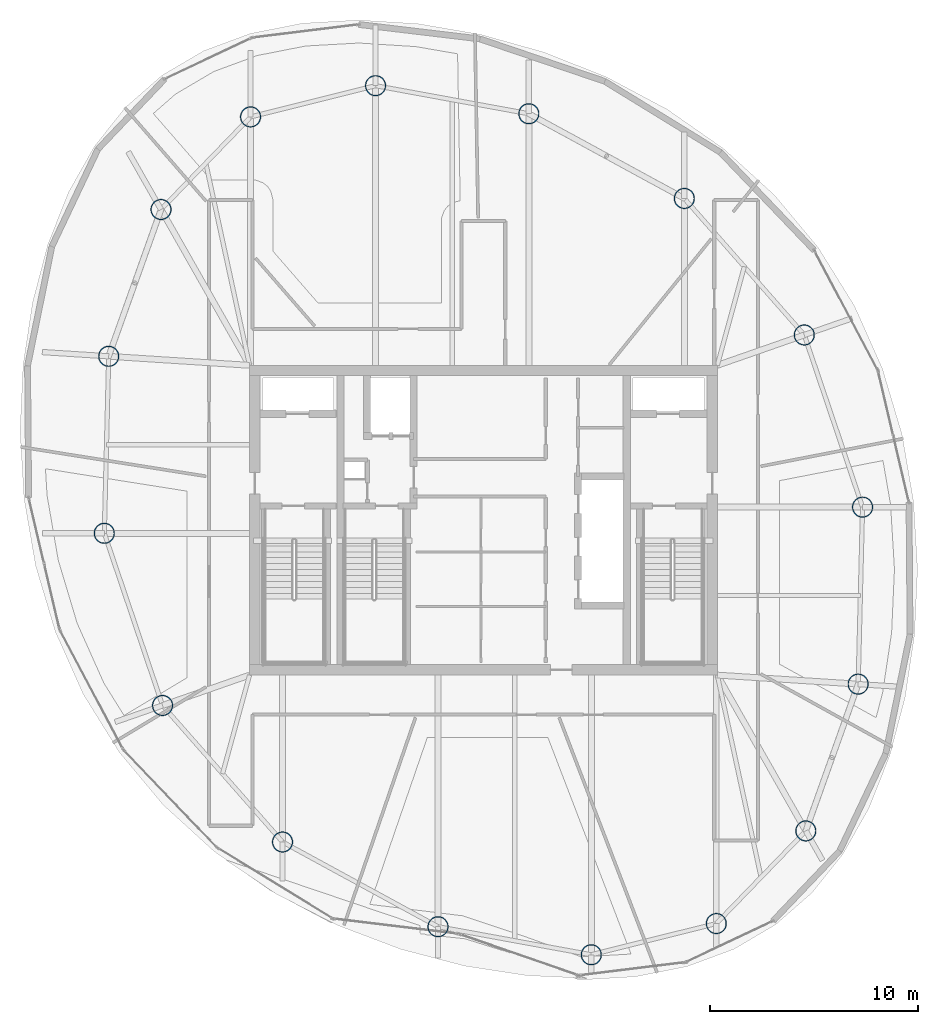
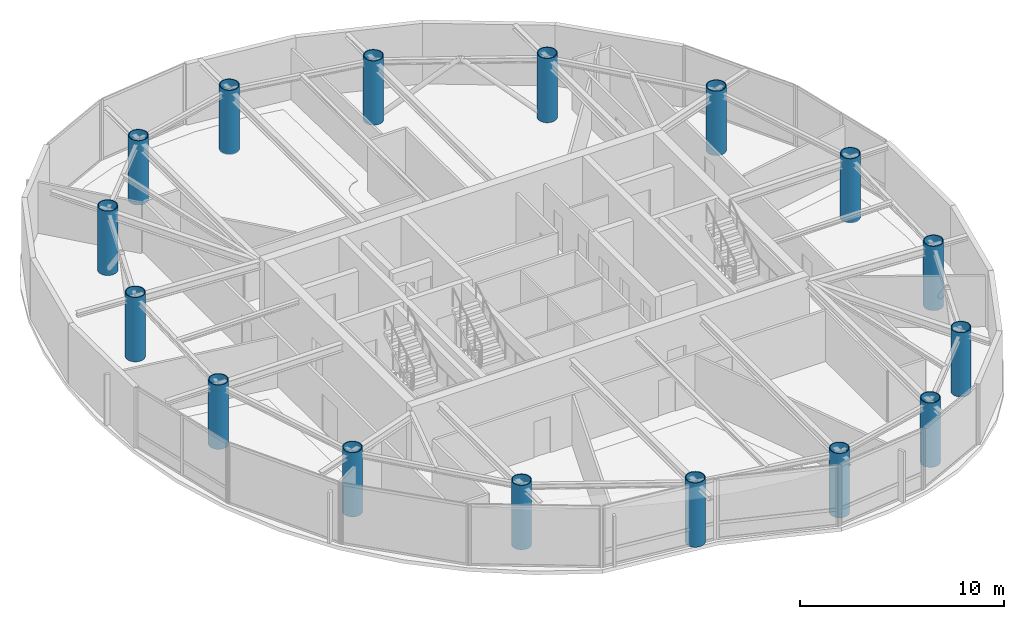
# One storey, part 1 of 21: 16 columns.
"""IFC4 building model written with IfcOpenShell, lengths in metres."""

from ifc_helpers import new_model, si_unit, direction, frame, origin, origin_2d, place, context, subcontext, project, spatial, hollow_circle, extrude, material, material_profile, profile_set, type_object, element, save


model = new_model("IFC4")

# Units and contexts
model_context = context("Model", 3, precision=1e-05, world=origin(), true_north=direction((0.0, 1.0)))
body_context = subcontext(model_context, "Body", "Model", "MODEL_VIEW")
ifc_project = project(units=[si_unit("LENGTHUNIT", "METRE"), si_unit("AREAUNIT", "SQUARE_METRE"), si_unit("VOLUMEUNIT", "CUBIC_METRE"), si_unit("PLANEANGLEUNIT", "RADIAN"), si_unit("MASSUNIT", "GRAM", prefix="KILO")], contexts=[model_context])

# Site, building, storey
site_placement = place(None, origin())
site = spatial("IfcSite", under=ifc_project, at=site_placement, CompositionType="ELEMENT")
building_placement = place(site_placement, origin())
building = spatial("IfcBuilding", under=site, at=building_placement, Name="Bramvorn Convention Spire", CompositionType="ELEMENT")
storey_placement = place(building_placement, frame((0.0, 0.0, 249.75)))
storey = spatial("IfcBuildingStorey", under=building, at=storey_placement, Name="L63", CompositionType="ELEMENT", Elevation=249.75)

# Columns
ifc_material = material(Name="Steel CSA G40.21 Grade 350 (350W)", Category="steel")
ifc_material_profile = material_profile(ifc_material, hollow_circle(Radius=0.5, WallThickness=0.044921875, at=origin_2d()))
ifc_profile_set = profile_set([ifc_material_profile], Name="Steel CSA G40.21 Grade 350 (350W) - CFT1000X45")
column_type = type_object("IfcColumnType", Name="COL-CFT1000X45", PredefinedType="COLUMN", material=ifc_profile_set)
for number, where, z_axis, x_axis, name in (
    (1, (49.199951171875, 6.60107421875, 0.0), (0.0, 0.0, 1.0), (1.0, 0.0, 0.0), "L63 composite CFT mega-column MC01"),
    (2, (53.50634765625, 11.05615234375, 0.0), (0.0, 0.0, 1.0), (1.0, 0.0, 0.0), "L63 composite CFT mega-column MC02"),
    (3, (56.023681640625, 18.116455078125, 0.0), (0.0, 0.0, 1.0), (1.0, 0.0, 0.0), "L63 composite CFT mega-column MC03"),
    (4, (56.234619140625, 26.62939453125, 0.0), (0.0, 0.0, 1.0), (1.0, 0.0, 0.0), "L63 composite CFT mega-column MC04"),
    (5, (53.4326171875, 34.909912109375, 0.0), (0.0, 0.0, 1.0), (1.0, 0.0, 0.0), "L63 composite CFT mega-column MC05"),
    (6, (47.662353515625, 41.476806640625, 0.0), (0.0, 0.0, 1.0), (1.0, 0.0, 0.0), "L63 composite CFT mega-column MC06"),
    (7, (40.1845703125, 45.55078125, 0.0), (0.0, 0.0, 1.0), (1.0, 0.0, 0.0), "L63 composite CFT mega-column MC07"),
    (8, (32.8115234375, 46.90087890625, 0.0), (0.0, 0.0, 1.0), (1.0, 0.0, 0.0), "L63 composite CFT mega-column MC08"),
    (9, (26.800048828125, 45.39892578125, 0.0), (0.0, 0.0, 1.0), (1.0, 0.0, 0.0), "L63 composite CFT mega-column MC09"),
    (10, (22.49365234375, 40.94384765625, 0.0), (0.0, 0.0, 1.0), (1.0, 0.0, 0.0), "L63 composite CFT mega-column MC10"),
    (11, (19.976318359375, 33.883544921875, 0.0), (0.0, 0.0, 1.0), (1.0, 0.0, 0.0), "L63 composite CFT mega-column MC11"),
    (12, (19.765380859375, 25.37060546875, 0.0), (0.0, 0.0, 1.0), (1.0, 0.0, 0.0), "L63 composite CFT mega-column MC12"),
    (13, (22.5673828125, 17.090087890625, 0.0), (0.0, 0.0, 1.0), (1.0, 0.0, 0.0), "L63 composite CFT mega-column MC13"),
    (14, (28.337646484375, 10.523193359375, 0.0), (0.0, 0.0, 1.0), (1.0, 0.0, 0.0), "L63 composite CFT mega-column MC14"),
    (15, (35.8154296875, 6.44921875, 0.0), (0.0, 0.0, 1.0), (1.0, 0.0, 0.0), "L63 composite CFT mega-column MC15"),
    (16, (43.1884765625, 5.09912109375, 0.0), (0.0, 0.0, 1.0), (1.0, 0.0, 0.0), "L63 composite CFT mega-column MC16"),
):
    element("IfcColumn", number, at=place(storey_placement, frame(where, z_axis=z_axis, x_axis=x_axis)), inside=storey, type_object=column_type, Name=name, PredefinedType="COLUMN", context=body_context, shape_type="SweptSolid", body=[
        extrude(hollow_circle(Radius=0.5, WallThickness=0.044921875, at=origin_2d()), origin(), (0.0, 0.0, 1.0), 3.85009765625),
    ])

save(model, "model.ifc")
